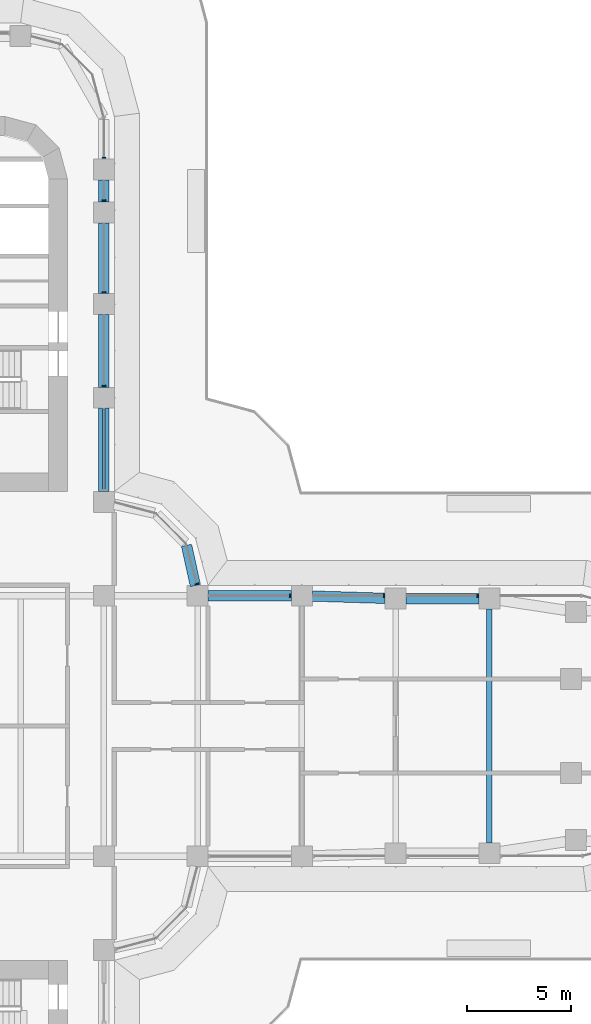
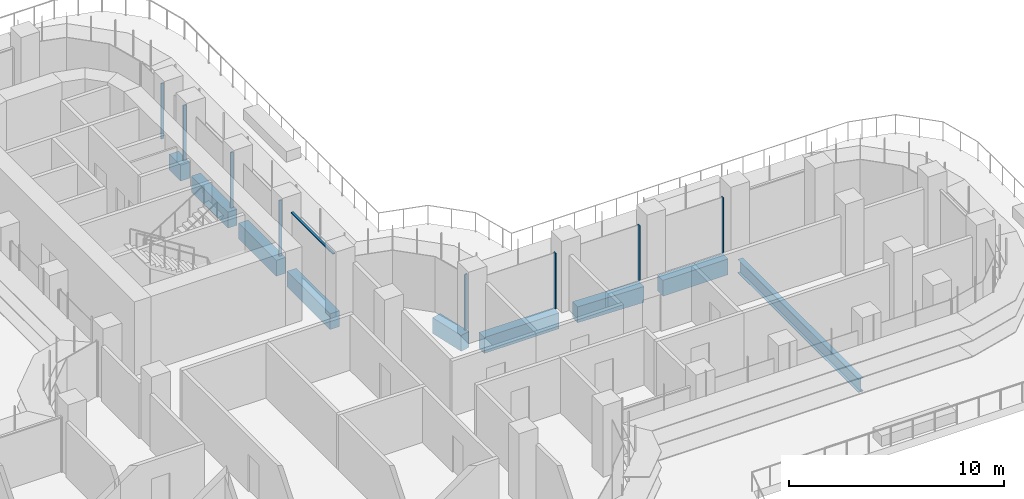
# One storey, part 9 of 26: 9 beams, 9 members, 3 elements without a shape of their own.
"""IFC4 building model written with IfcOpenShell, lengths in metres."""

from ifc_helpers import new_model, si_unit, direction, frame, origin, origin_2d, place, context, subcontext, project, spatial, polyline, rectangle, i_section, outline, extrude, source, transform, mapped, material, material_profile, profile_set, type_object, element, aggregate, save


model = new_model("IFC4")

# Units and contexts
model_context = context("Model", 3, precision=1e-05, world=origin(), true_north=direction((0.0, 1.0)))
body_context = subcontext(model_context, "Body", "Model", "MODEL_VIEW")
ifc_project = project(units=[si_unit("LENGTHUNIT", "METRE"), si_unit("AREAUNIT", "SQUARE_METRE"), si_unit("VOLUMEUNIT", "CUBIC_METRE"), si_unit("PLANEANGLEUNIT", "RADIAN"), si_unit("MASSUNIT", "GRAM", prefix="KILO")], contexts=[model_context])

# Site, building, storey
site_placement = place(None, origin())
site = spatial("IfcSite", under=ifc_project, at=site_placement, CompositionType="ELEMENT")
building_placement = place(site_placement, origin())
building = spatial("IfcBuilding", under=site, at=building_placement, Name="Zarbagh Exchange Tower", CompositionType="ELEMENT")
storey_placement = place(building_placement, frame((0.0, 0.0, 27.0)))
storey = spatial("IfcBuildingStorey", under=building, at=storey_placement, Name="L05", CompositionType="ELEMENT", Elevation=27.0)

# Beams
ifc_material_1 = material(Name="Steel ASTM A992 Gr 50", Category="steel")
ifc_material_profile_1 = material_profile(ifc_material_1, i_section(OverallWidth=0.2666015625, OverallDepth=0.76708984375, WebThickness=0.014892578125, FlangeThickness=0.023681640625, at=origin_2d()), Name="W30X124")
ifc_profile_set_1 = profile_set([ifc_material_profile_1], Name="Steel ASTM A992 Gr 50")
beam_type_1 = type_object("IfcBeamType", Name="Floor beam W30X124", PredefinedType="BEAM", material=ifc_profile_set_1)
beam_1_placement = place(storey_placement, frame((24.75, -5.610107421875, -0.533447265625), z_axis=(0.0, 1.0, 0.0), x_axis=(-1.0, 0.0, 0.0)))
element("IfcBeam", 1, at=beam_1_placement, inside=storey, type_object=beam_type_1, Name="Steel floor beam", PredefinedType="BEAM", context=body_context, shape_type="SweptSolid", body=[
    extrude(i_section(OverallWidth=0.2666015625, OverallDepth=0.76708984375, WebThickness=0.014892578125, FlangeThickness=0.023681640625, at=origin_2d()), origin(), (0.0, 0.0, 1.0), 11.22021484375),
])
ifc_material_2 = material(Name="Concrete C60/75", Category="concrete")
ifc_material_profile_2 = material_profile(ifc_material_2, rectangle(XDim=0.5, YDim=0.89990234375, at=origin_2d()), Name="RC spandrel beam 500 x 900 C60/75")
ifc_profile_set_2 = profile_set([ifc_material_profile_2], Name="Concrete C60/75")
beam_type_2 = type_object("IfcBeamType", Name="RC spandrel beam 500 x 900 C60/75", PredefinedType="SPANDREL", material=ifc_profile_set_2)
beam_2_placement = place(storey_placement, frame((6.25, 26.199951171875, -0.60009765625), z_axis=(0.0, -1.0, 0.0), x_axis=(1.0, 0.0, 0.0)))
element("IfcBeam", 2, at=beam_2_placement, inside=storey, type_object=beam_type_2, Name="RC spandrel beam", PredefinedType="SPANDREL", context=body_context, shape_type="SweptSolid", body=[
    extrude(rectangle(XDim=0.5, YDim=0.89990234375, at=origin_2d()), origin(), (0.0, 0.0, 1.0), 1.050048828125),
])
beam_3_placement = place(storey_placement, frame((6.25, 24.14990234375, -0.60009765625), z_axis=(0.0, -1.0, 0.0), x_axis=(1.0, 0.0, 0.0)))
element("IfcBeam", 3, at=beam_3_placement, inside=storey, type_object=beam_type_2, Name="RC spandrel beam", PredefinedType="SPANDREL", context=body_context, shape_type="SweptSolid", body=[
    extrude(rectangle(XDim=0.5, YDim=0.89990234375, at=origin_2d()), origin(), (0.0, 0.0, 1.0), 3.39990234375),
])
beam_4_placement = place(storey_placement, frame((6.25, 19.75, -0.60009765625), z_axis=(0.0, -1.0, 0.0), x_axis=(1.0, 0.0, 0.0)))
element("IfcBeam", 4, at=beam_4_placement, inside=storey, type_object=beam_type_2, Name="RC spandrel beam", PredefinedType="SPANDREL", context=body_context, shape_type="SweptSolid", body=[
    extrude(rectangle(XDim=0.5, YDim=0.89990234375, at=origin_2d()), origin(), (0.0, 0.0, 1.0), 3.5),
])
beam_5_placement = place(storey_placement, frame((6.25, 15.25, -0.60009765625), z_axis=(0.0, -1.0, 0.0), x_axis=(1.0, 0.0, 0.0)))
element("IfcBeam", 5, at=beam_5_placement, inside=storey, type_object=beam_type_2, Name="RC spandrel beam", PredefinedType="SPANDREL", context=body_context, shape_type="SweptSolid", body=[
    extrude(rectangle(XDim=0.5, YDim=0.89990234375, at=origin_2d()), origin(), (0.0, 0.0, 1.0), 4.0),
])
beam_6_placement = place(storey_placement, frame((10.214599609375, 8.669921875, -0.60009765625), z_axis=(0.216081063242, -0.976375426825, 0.0), x_axis=(0.976375426825, 0.216081063242, 0.0)))
element("IfcBeam", 6, at=beam_6_placement, inside=storey, type_object=beam_type_2, Name="RC spandrel beam", PredefinedType="SPANDREL", context=body_context, shape_type="SweptSolid", body=[
    extrude(rectangle(XDim=0.5, YDim=0.89990234375, at=origin_2d()), origin(), (0.0, 0.0, 1.0), 1.978271484375),
])
beam_7_placement = place(storey_placement, frame((11.25, 6.25, -0.60009765625), z_axis=(1.0, 0.0, 0.0), x_axis=(0.0, 1.0, 0.0)))
element("IfcBeam", 7, at=beam_7_placement, inside=storey, type_object=beam_type_2, Name="RC spandrel beam", PredefinedType="SPANDREL", context=body_context, shape_type="SweptSolid", body=[
    extrude(rectangle(XDim=0.5, YDim=0.89990234375, at=origin_2d()), origin(), (0.0, 0.0, 1.0), 4.0),
])
beam_8_placement = place(storey_placement, frame((16.249755859375, 6.234619140625, -0.60009765625), z_axis=(0.999514385708, -0.031160756759, 0.0), x_axis=(0.031160756759, 0.999514385708, 0.0)))
element("IfcBeam", 8, at=beam_8_placement, inside=storey, type_object=beam_type_2, Name="RC spandrel beam", PredefinedType="SPANDREL", context=body_context, shape_type="SweptSolid", body=[
    extrude(rectangle(XDim=0.5, YDim=0.89990234375, at=origin_2d()), origin(), (0.0, 0.0, 1.0), 3.502197265625),
])
beam_9_placement = place(storey_placement, frame((20.75, 6.110107421875, -0.60009765625), z_axis=(1.0, 0.0, 0.0), x_axis=(0.0, 1.0, 0.0)))
element("IfcBeam", 9, at=beam_9_placement, inside=storey, type_object=beam_type_2, Name="RC spandrel beam", PredefinedType="SPANDREL", context=body_context, shape_type="SweptSolid", body=[
    extrude(rectangle(XDim=0.5, YDim=0.89990234375, at=origin_2d()), origin(), (0.0, 0.0, 1.0), 3.5),
])

# Curtain wall, members
ifc_material_3 = material(Name="Anodised aluminium frame and glazing", Category="aluminium")
curtain_wall_type = type_object("IfcCurtainWallType", Name="CWA Ribbon glazing, lower zones", PredefinedType="NOTDEFINED", material=ifc_material_3)
curtain_wall_1_placement = place(storey_placement, origin())
curtain_wall_1 = element("IfcCurtainWall", 10, at=curtain_wall_1_placement, inside=storey, type_object=curtain_wall_type, Name="CWA16 curtain wall", PredefinedType="NOTDEFINED")
ifc_material_4 = material(Name="Anodised aluminium frame", Category="aluminium")
member_type_1 = type_object("IfcMemberType", Name="MUA Mullion, anodised aluminium frame", PredefinedType="MULLION", material=ifc_material_4)
shared_shape_1 = source(origin(), body_context, "Body", "SweptSolid", [
    extrude(outline(polyline([(0.0, -0.080078125), (0.06005859375, -0.080078125), (0.06005859375, 0.080078125), (0.0, 0.080078125), (0.0, -0.080078125)])), origin(), (0.0, 0.0, 1.0), 3.14990234375),
])
placement = place(storey_placement, origin())
member_1 = element("IfcMember", 11, at=placement, type_object=member_type_1, Name="CWA16 mullion 2.1", PredefinedType="MULLION", context=body_context, shape_type="MappedRepresentation", body=[
    mapped(shared_shape_1, transform((24.2099609375, 6.25, 0.0), x_axis=(-1.0, 0.0, 0.0), y_axis=(0.0, -1.0, 0.0), z_axis=(0.0, 0.0, 1.0))),
])
member_2 = element("IfcMember", 12, at=placement, type_object=member_type_1, Name="CWA16 mullion 3.1", PredefinedType="MULLION", context=body_context, shape_type="MappedRepresentation", body=[
    mapped(shared_shape_1, transform((19.7099609375, 6.25, 0.0), x_axis=(-1.0, 0.0, 0.0), y_axis=(0.0, -1.0, 0.0), z_axis=(0.0, 0.0, 1.0))),
])
member_3 = element("IfcMember", 13, at=placement, type_object=member_type_1, Name="CWA16 mullion 4.1", PredefinedType="MULLION", context=body_context, shape_type="MappedRepresentation", body=[
    mapped(shared_shape_1, transform((15.2099609375, 6.25, 0.0), x_axis=(-1.0, 0.0, 0.0), y_axis=(0.0, -1.0, 0.0), z_axis=(0.0, 0.0, 1.0))),
])
aggregate(curtain_wall_1, [member_1, member_2, member_3])

# Curtain wall, member
curtain_wall_2_placement = place(storey_placement, origin())
curtain_wall_2 = element("IfcCurtainWall", 14, at=curtain_wall_2_placement, inside=storey, type_object=curtain_wall_type, Name="CWA17 curtain wall", PredefinedType="NOTDEFINED")
member_4 = element("IfcMember", 15, at=placement, type_object=member_type_1, Name="CWA17 mullion 1.1", PredefinedType="MULLION", context=body_context, shape_type="MappedRepresentation", body=[
    mapped(shared_shape_1, transform((10.7216796875, 6.7900390625, 0.0), x_axis=(-0.258824779902, 0.965924289636, 0.0), y_axis=(-0.965924289636, -0.258824779902, 0.0), z_axis=(0.0, 0.0, 1.0))),
])
aggregate(curtain_wall_2, [member_4])

# Curtain wall, members
curtain_wall_3_placement = place(storey_placement, origin())
curtain_wall_3 = element("IfcCurtainWall", 16, at=curtain_wall_3_placement, inside=storey, type_object=curtain_wall_type, Name="CWA20 curtain wall", PredefinedType="NOTDEFINED")
member_5 = element("IfcMember", 17, at=placement, type_object=member_type_1, Name="CWA20 mullion 2.1", PredefinedType="MULLION", context=body_context, shape_type="MappedRepresentation", body=[
    mapped(shared_shape_1, transform((6.25, 16.2900390625, 0.0), x_axis=(0.0, 1.0, 0.0), y_axis=(-1.0, 0.0, 0.0), z_axis=(0.0, 0.0, 1.0))),
])
member_6 = element("IfcMember", 18, at=placement, type_object=member_type_1, Name="CWA20 mullion 3.1", PredefinedType="MULLION", context=body_context, shape_type="MappedRepresentation", body=[
    mapped(shared_shape_1, transform((6.25, 20.7900390625, 0.0), x_axis=(0.0, 1.0, 0.0), y_axis=(-1.0, 0.0, 0.0), z_axis=(0.0, 0.0, 1.0))),
])
member_7 = element("IfcMember", 19, at=placement, type_object=member_type_1, Name="CWA20 mullion 4.1", PredefinedType="MULLION", context=body_context, shape_type="MappedRepresentation", body=[
    mapped(shared_shape_1, transform((6.25, 25.18994140625, 0.0), x_axis=(0.0, 1.0, 0.0), y_axis=(-1.0, 0.0, 0.0), z_axis=(0.0, 0.0, 1.0))),
])
member_8 = element("IfcMember", 20, at=placement, type_object=member_type_1, Name="CWA20 mullion 5.1", PredefinedType="MULLION", context=body_context, shape_type="MappedRepresentation", body=[
    mapped(shared_shape_1, transform((6.25, 27.239990234375, 0.0), x_axis=(0.0, 1.0, 0.0), y_axis=(-1.0, 0.0, 0.0), z_axis=(0.0, 0.0, 1.0))),
])
member_type_2 = type_object("IfcMemberType", Name="TRA Transom, anodised aluminium frame", PredefinedType="USERDEFINED", material=ifc_material_4)
shared_shape_2 = source(origin(), body_context, "Body", "SweptSolid", [
    extrude(outline(polyline([(-0.06005859375, -0.06005859375), (0.0, -0.06005859375), (0.0, 0.06005859375), (-0.06005859375, 0.06005859375), (-0.06005859375, -0.06005859375)])), origin(), (0.0, 0.0, 1.0), 3.860107421875),
])
member_9 = element("IfcMember", 21, at=placement, type_object=member_type_2, Name="CWA20 transom 1.1", ObjectType="TRANSOM", PredefinedType="USERDEFINED", context=body_context, shape_type="MappedRepresentation", body=[
    mapped(shared_shape_2, transform((6.25, 11.35009765625, 3.14990234375), x_axis=(0.0, 0.0, 1.0), y_axis=(1.0, 0.0, 0.0), z_axis=(0.0, 1.0, 0.0))),
])
aggregate(curtain_wall_3, [member_9, member_5, member_6, member_7, member_8])

save(model, "model.ifc")
